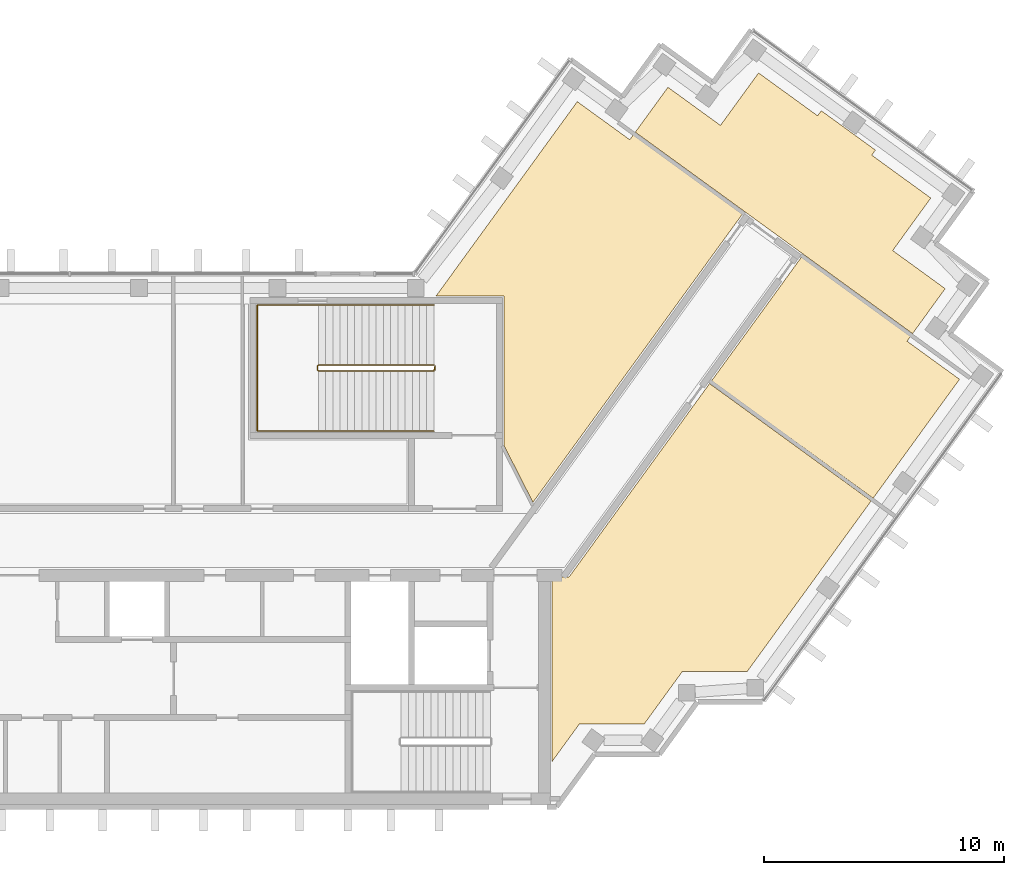
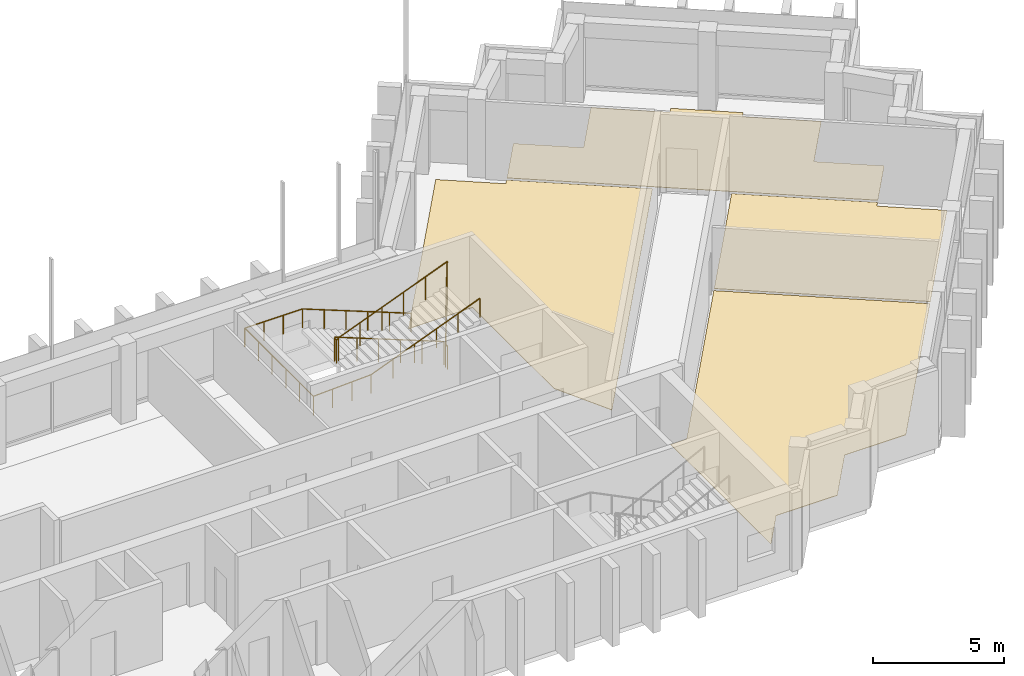
# One storey, part 13 of 13: 4 coverings, 2 railings.
"""IFC4 building model written with IfcOpenShell, lengths in metres."""

from ifc_helpers import new_model, si_unit, direction, frame, origin, origin_2d, place, context, subcontext, project, spatial, polyline, circle, outline, extrude, material, layer, layer_set, type_object, element, save


model = new_model("IFC4")

# Units and contexts
model_context = context("Model", 3, precision=1e-05, world=origin(), true_north=direction((0.0, 1.0)))
body_context = subcontext(model_context, "Body", "Model", "MODEL_VIEW")
ifc_project = project(units=[si_unit("LENGTHUNIT", "METRE"), si_unit("AREAUNIT", "SQUARE_METRE"), si_unit("VOLUMEUNIT", "CUBIC_METRE"), si_unit("PLANEANGLEUNIT", "RADIAN"), si_unit("MASSUNIT", "GRAM", prefix="KILO")], contexts=[model_context])

# Site, building, storey
site_placement = place(None, origin())
site = spatial("IfcSite", under=ifc_project, at=site_placement, CompositionType="ELEMENT")
building_placement = place(site_placement, origin())
building = spatial("IfcBuilding", under=site, at=building_placement, Name="Quipu Civic Tower", CompositionType="ELEMENT")
storey_placement = place(building_placement, frame((0.0, 0.0, 347.0)))
storey = spatial("IfcBuildingStorey", under=building, at=storey_placement, Name="L81", CompositionType="ELEMENT", Elevation=347.0)

# Coverings
ifc_material_1 = material(Name="Carpet tile on raised access floor")
ifc_layer = layer(ifc_material_1, 0.02001953125)
ifc_layer_set = layer_set([ifc_layer], Name="Carpet tile on raised access floor")
covering_type = type_object("IfcCoveringType", Name="Carpet tile floor finish 20", PredefinedType="FLOORING", material=ifc_layer_set)
covering_1_placement = place(storey_placement, origin())
element("IfcCovering", 1, at=covering_1_placement, inside=storey, type_object=covering_type, Name="Carpet tile floor finish 20", PredefinedType="FLOORING", context=body_context, shape_type="SweptSolid", body=[
    extrude(outline(polyline([(15.238037109375, 10.169921875), (21.115966796875, 18.260986328125), (23.299072265625, 16.676025390625), (23.447998046875, 16.876953125), (27.987060546875, 13.5791015625), (19.27197265625, 1.583984375), (18.070068359375, 3.94189453125), (18.070068359375, 10.1689453125), (15.238037109375, 10.169921875)])), origin(), (0.0, 0.0, 1.0), 0.02001953125),
])
covering_2_placement = place(storey_placement, origin())
element("IfcCovering", 2, at=covering_2_placement, inside=storey, type_object=covering_type, Name="Carpet tile floor finish 20", PredefinedType="FLOORING", context=body_context, shape_type="SweptSolid", body=[
    extrude(outline(polyline([(26.705078125, 6.64208984375), (30.446044921875, 11.7919921875), (34.985107421875, 8.493896484375), (34.839111328125, 8.291015625), (37.02197265625, 6.7060546875), (33.427978515625, 1.758056640625), (26.705078125, 6.64208984375)])), origin(), (0.0, 0.0, 1.0), 0.02001953125),
])
covering_3_placement = place(storey_placement, origin())
element("IfcCovering", 3, at=covering_3_placement, inside=storey, type_object=covering_type, Name="Carpet tile floor finish 20", PredefinedType="FLOORING", context=body_context, shape_type="SweptSolid", body=[
    extrude(outline(polyline([(23.531005859375, 16.989013671875), (24.888916015625, 18.85791015625), (27.073974609375, 17.27197265625), (28.658935546875, 19.455078125), (31.116943359375, 17.6708984375), (31.27099609375, 17.8798828125), (33.52197265625, 16.2451171875), (33.3701171875, 16.032958984375), (35.826904296875, 14.248046875), (34.240966796875, 12.06396484375), (36.425048828125, 10.47705078125), (35.068115234375, 8.60791015625), (23.531005859375, 16.989013671875)])), origin(), (0.0, 0.0, 1.0), 0.02001953125),
])
covering_4_placement = place(storey_placement, origin())
element("IfcCovering", 4, at=covering_4_placement, inside=storey, type_object=covering_type, Name="Carpet tile floor finish 20", PredefinedType="FLOORING", context=body_context, shape_type="SweptSolid", body=[
    extrude(outline(polyline([(20.070068359375, -9.195068359375), (20.070068359375, -1.52001953125), (20.77490234375, -1.51904296875), (26.6220703125, 6.529052734375), (33.344970703125, 1.64501953125), (28.181884765625, -5.4609375), (25.48193359375, -5.4619140625), (23.89501953125, -7.64599609375), (21.196044921875, -7.64599609375), (20.070068359375, -9.195068359375)])), origin(), (0.0, 0.0, 1.0), 0.02001953125),
])

# Railings
ifc_material_2 = material(Name="Stainless steel", Category="steel")
railing_type_1 = type_object("IfcRailingType", Name="Stair guard 1100", PredefinedType="GUARDRAIL", material=ifc_material_2)
railing_1_placement = place(storey_placement, frame((15.14990234375, 7.300048828125, 0.11767578125)))
element("IfcRailing", 5, at=railing_1_placement, inside=storey, type_object=railing_type_1, Name="Stair 4 guard", PredefinedType="GUARDRAIL", context=body_context, shape_type="SweptSolid", body=[
    extrude(circle(Radius=0.02392578125, at=origin_2d()), frame((0.0, 0.0, 1.076171875), z_axis=(-0.930970042603, 0.0, 0.365095576219), x_axis=(0.0, -1.0, 0.0)), (0.0, 0.0, 1.0), 5.15576171875),
    extrude(circle(Radius=0.02392578125, at=origin_2d()), frame((-4.7998046875, 0.0, 2.95849609375), z_axis=(-0.707106781187, -0.707106781187, 0.0), x_axis=(0.707106781187, -0.707106781187, 0.0)), (0.0, 0.0, 1.0), 0.07080078125),
    extrude(circle(Radius=0.02392578125, at=origin_2d()), frame((-4.849853515625, -0.050048828125, 2.95849609375), z_axis=(0.0, -1.0, 0.0), x_axis=(1.0, 0.0, 0.0)), (0.0, 0.0, 1.0), 0.14990234375),
    extrude(circle(Radius=0.02392578125, at=origin_2d()), frame((-4.849853515625, -0.199951171875, 2.95849609375), z_axis=(0.364463019033, -0.364463019033, 0.856932561824), x_axis=(0.707106781187, 0.707106781187, 0.0)), (0.0, 0.0, 1.0), 0.13720703125),
    extrude(circle(Radius=0.02392578125, at=origin_2d()), frame((-4.7998046875, -0.25, 3.076171875), z_axis=(0.930970042603, 0.0, 0.365095576219), x_axis=(0.0, 1.0, 0.0)), (0.0, 0.0, 1.0), 5.15576171875),
    extrude(circle(Radius=0.02392578125, at=origin_2d()), frame((0.0, -0.25, 4.95849609375), z_axis=(0.012495627992, 0.049921557685, -0.998674970829), x_axis=(-0.970072785993, 0.242814311512, 0.0)), (0.0, 0.0, 1.0), 4.00537109375),
    extrude(circle(Radius=0.02392578125, at=origin_2d()), frame((0.050048828125, -0.050048828125, 0.95849609375), z_axis=(0.0, -1.0, 0.0), x_axis=(1.0, 0.0, 0.0)), (0.0, 0.0, 1.0), 0.14990234375),
    extrude(circle(Radius=0.02099609375, at=origin_2d()), origin(), (0.0, 0.0, 1.0), 1.052001953125),
    extrude(circle(Radius=0.02099609375, at=origin_2d()), frame((-0.9599609375, 0.0, 0.37646484375)), (0.0, 0.0, 1.0), 1.052001953125),
    extrude(circle(Radius=0.02099609375, at=origin_2d()), frame((-1.919921875, 0.0, 0.7529296875)), (0.0, 0.0, 1.0), 1.052001953125),
    extrude(circle(Radius=0.02099609375, at=origin_2d()), frame((-2.8798828125, 0.0, 1.12939453125)), (0.0, 0.0, 1.0), 1.052001953125),
    extrude(circle(Radius=0.02099609375, at=origin_2d()), frame((-3.83984375, 0.0, 1.505859375)), (0.0, 0.0, 1.0), 1.052001953125),
    extrude(circle(Radius=0.02099609375, at=origin_2d()), frame((-4.7998046875, 0.0, 1.88232421875)), (0.0, 0.0, 1.0), 1.052001953125),
    extrude(circle(Radius=0.02099609375, at=origin_2d()), frame((-4.849853515625, -0.050048828125, 1.88232421875)), (0.0, 0.0, 1.0), 1.052001953125),
    extrude(circle(Radius=0.02099609375, at=origin_2d()), frame((-4.849853515625, -0.199951171875, 1.88232421875)), (0.0, 0.0, 1.0), 1.052001953125),
    extrude(circle(Radius=0.02099609375, at=origin_2d()), frame((-4.7998046875, -0.25, 2.0)), (0.0, 0.0, 1.0), 1.052001953125),
    extrude(circle(Radius=0.02099609375, at=origin_2d()), frame((-3.83984375, -0.25, 2.37646484375)), (0.0, 0.0, 1.0), 1.052001953125),
    extrude(circle(Radius=0.02099609375, at=origin_2d()), frame((-2.8798828125, -0.25, 2.7529296875)), (0.0, 0.0, 1.0), 1.052001953125),
    extrude(circle(Radius=0.02099609375, at=origin_2d()), frame((-1.919921875, -0.25, 3.12939453125)), (0.0, 0.0, 1.0), 1.052001953125),
    extrude(circle(Radius=0.02099609375, at=origin_2d()), frame((-0.9599609375, -0.25, 3.505859375)), (0.0, 0.0, 1.0), 1.052001953125),
    extrude(circle(Radius=0.02099609375, at=origin_2d()), frame((0.0, -0.25, 3.88232421875)), (0.0, 0.0, 1.0), 1.052001953125),
    extrude(circle(Radius=0.02099609375, at=origin_2d()), frame((0.012451171875, -0.199951171875, 2.88232421875)), (0.0, 0.0, 1.0), 1.052001953125),
    extrude(circle(Radius=0.02099609375, at=origin_2d()), frame((0.02490234375, -0.14990234375, 1.88232421875)), (0.0, 0.0, 1.0), 1.052001953125),
    extrude(circle(Radius=0.02099609375, at=origin_2d()), frame((0.03759765625, -0.10009765625, 0.88232421875)), (0.0, 0.0, 1.0), 1.052001953125),
    extrude(circle(Radius=0.02099609375, at=origin_2d()), frame((0.050048828125, -0.050048828125, -0.11767578125)), (0.0, 0.0, 1.0), 1.052001953125),
    extrude(circle(Radius=0.02099609375, at=origin_2d()), frame((0.050048828125, -0.199951171875, -0.11767578125)), (0.0, 0.0, 1.0), 1.052001953125),
])
ifc_material_3 = material(Name="Stainless steel", Category="steel")
railing_type_2 = type_object("IfcRailingType", Name="Stair handrail", PredefinedType="HANDRAIL", material=ifc_material_3)
railing_2_placement = place(storey_placement, frame((15.14990234375, 9.800048828125, 0.11767578125)))
element("IfcRailing", 6, at=railing_2_placement, inside=storey, type_object=railing_type_2, Name="Stair 4 handrail", PredefinedType="HANDRAIL", context=body_context, shape_type="SweptSolid", body=[
    extrude(circle(Radius=0.02392578125, at=origin_2d()), frame((0.0, 0.0, 0.8759765625), z_axis=(-0.930970042603, 0.0, 0.365095576219), x_axis=(0.0, -1.0, 0.0)), (0.0, 0.0, 1.0), 5.15576171875),
    extrude(circle(Radius=0.02392578125, at=origin_2d()), frame((-4.7998046875, 0.0, 2.75830078125), z_axis=(-1.0, 0.0, 0.0), x_axis=(0.0, -1.0, 0.0)), (0.0, 0.0, 1.0), 2.550048828125),
    extrude(circle(Radius=0.02392578125, at=origin_2d()), frame((-7.349853515625, 0.0, 2.75830078125), z_axis=(0.0, -1.0, 0.0), x_axis=(1.0, 0.0, 0.0)), (0.0, 0.0, 1.0), 5.25),
    extrude(circle(Radius=0.02392578125, at=origin_2d()), frame((-7.349853515625, -5.25, 2.75830078125), z_axis=(0.998936948642, 0.0, 0.04609742549), x_axis=(0.0, 1.0, 0.0)), (0.0, 0.0, 1.0), 2.552734375),
    extrude(circle(Radius=0.02392578125, at=origin_2d()), frame((-4.7998046875, -5.25, 2.8759765625), z_axis=(0.930970042603, 0.0, 0.365095576219), x_axis=(0.0, 1.0, 0.0)), (0.0, 0.0, 1.0), 5.15576171875),
    extrude(circle(Radius=0.02099609375, at=origin_2d()), origin(), (0.0, 0.0, 1.0), 0.851806640625),
    extrude(circle(Radius=0.02099609375, at=origin_2d()), frame((-0.9599609375, 0.0, 0.37646484375)), (0.0, 0.0, 1.0), 0.851806640625),
    extrude(circle(Radius=0.02099609375, at=origin_2d()), frame((-1.919921875, 0.0, 0.7529296875)), (0.0, 0.0, 1.0), 0.851806640625),
    extrude(circle(Radius=0.02099609375, at=origin_2d()), frame((-2.8798828125, 0.0, 1.12939453125)), (0.0, 0.0, 1.0), 0.851806640625),
    extrude(circle(Radius=0.02099609375, at=origin_2d()), frame((-3.83984375, 0.0, 1.505859375)), (0.0, 0.0, 1.0), 0.851806640625),
    extrude(circle(Radius=0.02099609375, at=origin_2d()), frame((-4.7998046875, 0.0, 1.88232421875)), (0.0, 0.0, 1.0), 0.851806640625),
    extrude(circle(Radius=0.02099609375, at=origin_2d()), frame((-5.64990234375, 0.0, 1.88232421875)), (0.0, 0.0, 1.0), 0.851806640625),
    extrude(circle(Radius=0.02099609375, at=origin_2d()), frame((-6.499755859375, 0.0, 1.88232421875)), (0.0, 0.0, 1.0), 0.851806640625),
    extrude(circle(Radius=0.02099609375, at=origin_2d()), frame((-7.349853515625, 0.0, 1.88232421875)), (0.0, 0.0, 1.0), 0.851806640625),
    extrude(circle(Radius=0.02099609375, at=origin_2d()), frame((-7.349853515625, -1.050048828125, 1.88232421875)), (0.0, 0.0, 1.0), 0.851806640625),
    extrude(circle(Radius=0.02099609375, at=origin_2d()), frame((-7.349853515625, -2.10009765625, 1.88232421875)), (0.0, 0.0, 1.0), 0.851806640625),
    extrude(circle(Radius=0.02099609375, at=origin_2d()), frame((-7.349853515625, -3.14990234375, 1.88232421875)), (0.0, 0.0, 1.0), 0.851806640625),
    extrude(circle(Radius=0.02099609375, at=origin_2d()), frame((-7.349853515625, -4.199951171875, 1.88232421875)), (0.0, 0.0, 1.0), 0.851806640625),
    extrude(circle(Radius=0.02099609375, at=origin_2d()), frame((-7.349853515625, -5.25, 1.88232421875)), (0.0, 0.0, 1.0), 0.851806640625),
    extrude(circle(Radius=0.02099609375, at=origin_2d()), frame((-6.499755859375, -5.25, 1.921630859375)), (0.0, 0.0, 1.0), 0.851806640625),
    extrude(circle(Radius=0.02099609375, at=origin_2d()), frame((-5.64990234375, -5.25, 1.960693359375)), (0.0, 0.0, 1.0), 0.851806640625),
    extrude(circle(Radius=0.02099609375, at=origin_2d()), frame((-4.7998046875, -5.25, 2.0)), (0.0, 0.0, 1.0), 0.851806640625),
    extrude(circle(Radius=0.02099609375, at=origin_2d()), frame((-3.83984375, -5.25, 2.37646484375)), (0.0, 0.0, 1.0), 0.851806640625),
    extrude(circle(Radius=0.02099609375, at=origin_2d()), frame((-2.8798828125, -5.25, 2.7529296875)), (0.0, 0.0, 1.0), 0.851806640625),
    extrude(circle(Radius=0.02099609375, at=origin_2d()), frame((-1.919921875, -5.25, 3.12939453125)), (0.0, 0.0, 1.0), 0.851806640625),
    extrude(circle(Radius=0.02099609375, at=origin_2d()), frame((-0.9599609375, -5.25, 3.505859375)), (0.0, 0.0, 1.0), 0.851806640625),
    extrude(circle(Radius=0.02099609375, at=origin_2d()), frame((0.0, -5.25, 3.88232421875)), (0.0, 0.0, 1.0), 0.851806640625),
])

save(model, "model.ifc")
